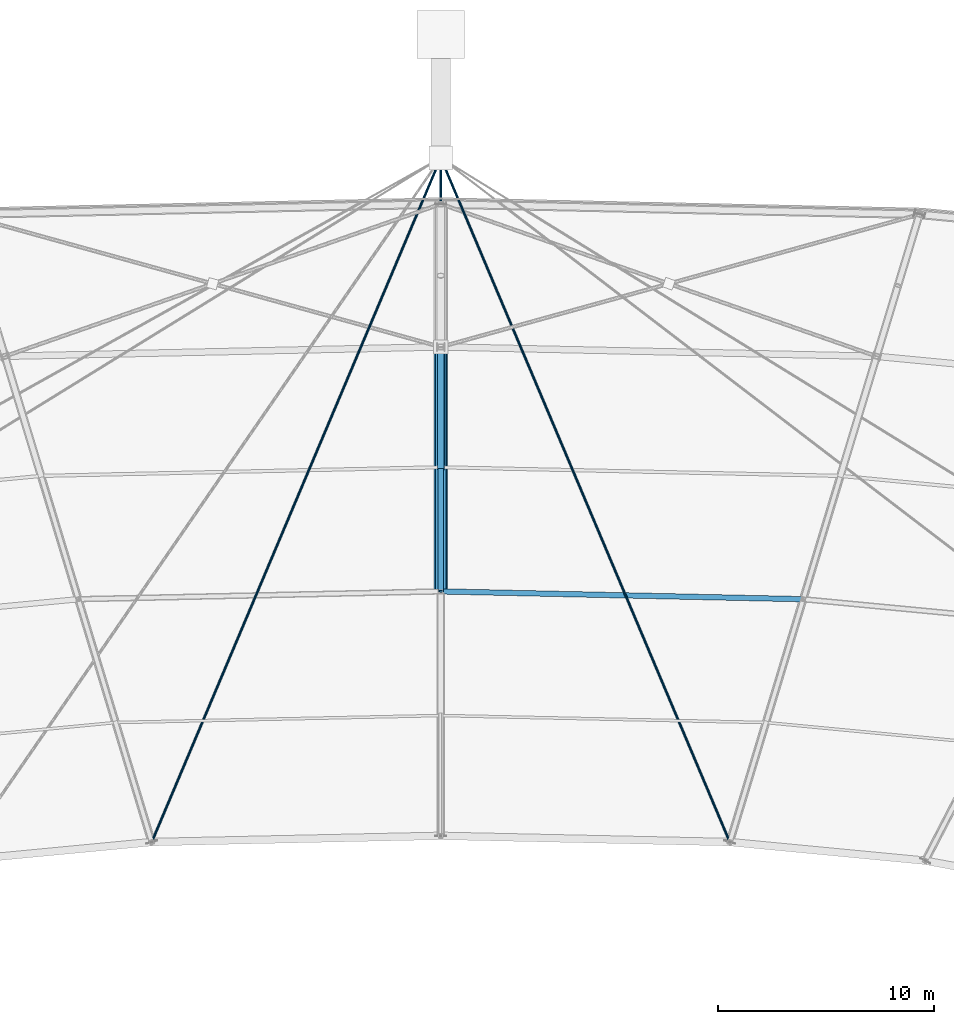
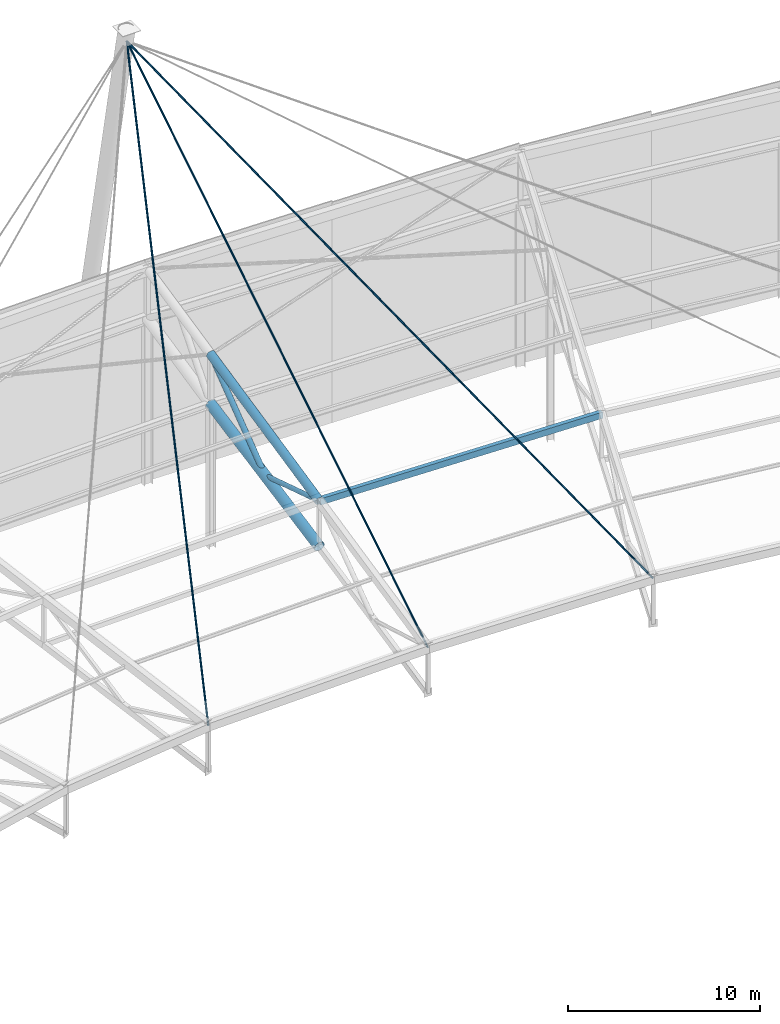
# One storey, part 95 of 143: 5 members, 3 beams.
"""IFC4 building model written with IfcOpenShell, lengths in metres."""

from ifc_helpers import new_model, si_unit, direction, frame, origin, origin_2d, place, context, subcontext, project, spatial, hollow_rectangle, circle, hollow_circle, extrude, material, material_profile, profile_set, type_object, element, save


model = new_model("IFC4")

# Units and contexts
model_context = context("Model", 3, precision=1e-05, world=origin(), true_north=direction((0.0, 1.0)))
body_context = subcontext(model_context, "Body", "Model", "MODEL_VIEW")
ifc_project = project(units=[si_unit("LENGTHUNIT", "METRE"), si_unit("AREAUNIT", "SQUARE_METRE"), si_unit("VOLUMEUNIT", "CUBIC_METRE"), si_unit("PLANEANGLEUNIT", "RADIAN"), si_unit("MASSUNIT", "GRAM", prefix="KILO")], contexts=[model_context])

# Site, building, storey
site_placement = place(None, origin())
site = spatial("IfcSite", under=ifc_project, at=site_placement, CompositionType="ELEMENT")
building_placement = place(site_placement, origin())
building = spatial("IfcBuilding", under=site, at=building_placement, Name="Mphavela Belvedere Stadium", CompositionType="ELEMENT")
storey_placement = place(building_placement, frame((0.0, 0.0, 28.800048828125)))
storey = spatial("IfcBuildingStorey", under=building, at=storey_placement, Name="RF", CompositionType="ELEMENT", Elevation=28.800048828125)

# Beams
ifc_material_1 = material(Name="Steel S355", Category="steel")
ifc_material_profile_1 = material_profile(ifc_material_1, hollow_rectangle(XDim=0.25, YDim=0.39990234375, WallThickness=0.01611328125, at=origin_2d()), Name="RHS 400x250x16")
ifc_profile_set_1 = profile_set([ifc_material_profile_1], Name="Steel S355")
beam_type_1 = type_object("IfcBeamType", Name="BM-RING-MID", PredefinedType="BEAM", material=ifc_profile_set_1)
beam_1_placement = place(storey_placement, frame((131.742431640625, 142.413330078125, 9.63427734375), z_axis=(-0.999741146043, 0.021517679857, 0.007391235561), x_axis=(-0.02151826764, -0.999768455272, 0.0)))
element("IfcBeam", 1, at=beam_1_placement, inside=storey, type_object=beam_type_1, Name="Intermediate roof ring beam RB-MID-12", PredefinedType="BEAM", context=body_context, shape_type="SweptSolid", body=[
    extrude(hollow_rectangle(XDim=0.25, YDim=0.39990234375, WallThickness=0.01611328125, at=origin_2d()), origin(), (0.0, 0.0, 1.0), 16.746826171875),
])
ifc_material_2 = material(Name="Steel S355", Category="steel")
ifc_material_profile_2 = material_profile(ifc_material_2, hollow_circle(Radius=0.304931640625, WallThickness=0.02490234375, at=origin_2d()), Name="CHS 610x25")
ifc_profile_set_2 = profile_set([ifc_material_profile_2], Name="Steel S355")
beam_type_2 = type_object("IfcBeamType", Name="BM-TRUSS-BC1", PredefinedType="BEAM", material=ifc_profile_set_2)
beam_2_placement = place(storey_placement, frame((115.0, 154.0673828125, 9.071044921875), z_axis=(0.0, -0.98133934547, -0.192283876161), x_axis=(1.0, 0.0, 0.0)))
element("IfcBeam", 2, at=beam_2_placement, inside=storey, type_object=beam_type_2, Name="Radial roof truss RT-13 bottom chord 2", PredefinedType="BEAM", context=body_context, shape_type="SweptSolid", body=[
    extrude(hollow_circle(Radius=0.304931640625, WallThickness=0.02490234375, at=origin_2d()), origin(), (0.0, 0.0, 1.0), 11.508544921875),
])
ifc_material_3 = material(Name="Steel S355", Category="steel")
ifc_material_profile_3 = material_profile(ifc_material_3, hollow_circle(Radius=0.25390625, WallThickness=0.02490234375, at=origin_2d()), Name="CHS 508x25")
ifc_profile_set_3 = profile_set([ifc_material_profile_3], Name="Steel S355")
beam_type_3 = type_object("IfcBeamType", Name="BM-TRUSS-TC1", PredefinedType="BEAM", material=ifc_profile_set_3)
beam_3_placement = place(storey_placement, frame((115.0, 154.0673828125, 12.220947265625), z_axis=(0.0, -0.977037190739, -0.213068833744), x_axis=(1.0, 0.0, 0.0)))
element("IfcBeam", 3, at=beam_3_placement, inside=storey, type_object=beam_type_3, Name="Radial roof truss RT-13 top chord 2", PredefinedType="BEAM", context=body_context, shape_type="SweptSolid", body=[
    extrude(hollow_circle(Radius=0.25390625, WallThickness=0.02490234375, at=origin_2d()), origin(), (0.0, 0.0, 1.0), 11.55908203125),
])

# Members
ifc_material_4 = material(Name="Steel S355", Category="steel")
ifc_material_profile_4 = material_profile(ifc_material_4, circle(Radius=0.0576171875, at=origin_2d()), Name="CABLE D115")
ifc_profile_set_4 = profile_set([ifc_material_profile_4], Name="Steel S355")
member_type_1 = type_object("IfcMemberType", Name="MEM-CABLE-115", PredefinedType="USERDEFINED", material=ifc_profile_set_4)
member_1_placement = place(storey_placement, frame((115.0, 162.800048828125, 26.800048828125), z_axis=(0.337883807292, -0.799841420179, -0.496072812534), x_axis=(0.921178154649, 0.389141115019, 0.0)))
element("IfcMember", 4, at=member_1_placement, inside=storey, type_object=member_type_1, Name="North mast fan stay cable MSC-03", ObjectType="STAY CABLE", PredefinedType="USERDEFINED", context=body_context, shape_type="SweptSolid", body=[
    extrude(circle(Radius=0.0576171875, at=origin_2d()), origin(), (0.0, 0.0, 1.0), 39.517333984375),
])
member_2_placement = place(storey_placement, frame((115.0, 162.800048828125, 26.800048828125), z_axis=(0.0, -0.848851812025, -0.528630874261), x_axis=(1.0, 0.0, 0.0)))
element("IfcMember", 5, at=member_2_placement, inside=storey, type_object=member_type_1, Name="North mast fan stay cable MSC-04", ObjectType="STAY CABLE", PredefinedType="USERDEFINED", context=body_context, shape_type="SweptSolid", body=[
    extrude(circle(Radius=0.0576171875, at=origin_2d()), origin(), (0.0, 0.0, 1.0), 36.89697265625),
])
member_3_placement = place(storey_placement, frame((115.0, 162.800048828125, 26.800048828125), z_axis=(-0.337883807292, -0.799841420179, -0.496072812534), x_axis=(0.921178154649, -0.389141115019, 0.0)))
element("IfcMember", 6, at=member_3_placement, inside=storey, type_object=member_type_1, Name="North mast fan stay cable MSC-05", ObjectType="STAY CABLE", PredefinedType="USERDEFINED", context=body_context, shape_type="SweptSolid", body=[
    extrude(circle(Radius=0.0576171875, at=origin_2d()), origin(), (0.0, 0.0, 1.0), 39.517333984375),
])
ifc_material_5 = material(Name="Steel S355", Category="steel")
ifc_material_profile_5 = material_profile(ifc_material_5, hollow_circle(Radius=0.136474609375, WallThickness=0.012451171875, at=origin_2d()), Name="CHS 273x12.5")
ifc_profile_set_5 = profile_set([ifc_material_profile_5], Name="Steel S355")
member_type_2 = type_object("IfcMemberType", Name="MEM-DIAG-273", PredefinedType="BRACE", material=ifc_profile_set_5)
member_4_placement = place(storey_placement, frame((115.0, 148.420654296875, 7.964599609375), z_axis=(0.0, -0.953086911655, 0.302696777043), x_axis=(1.0, 0.0, 0.0)))
element("IfcMember", 7, at=member_4_placement, inside=storey, type_object=member_type_2, Name="Radial roof truss RT-13 web diagonal D4", PredefinedType="BRACE", context=body_context, shape_type="SweptSolid", body=[
    extrude(hollow_circle(Radius=0.136474609375, WallThickness=0.012451171875, at=origin_2d()), origin(), (0.0, 0.0, 1.0), 5.925048828125),
])
ifc_material_6 = material(Name="Steel S355", Category="steel")
ifc_material_profile_6 = material_profile(ifc_material_6, hollow_circle(Radius=0.161865234375, WallThickness=0.01611328125, at=origin_2d()), Name="CHS 323.9x16")
ifc_profile_set_6 = profile_set([ifc_material_profile_6], Name="Steel S355")
member_type_3 = type_object("IfcMemberType", Name="MEM-DIAG-324", PredefinedType="BRACE", material=ifc_profile_set_6)
member_5_placement = place(storey_placement, frame((115.0, 154.0673828125, 12.220947265625), z_axis=(0.0, -0.798551728269, -0.601926189228), x_axis=(1.0, 0.0, 0.0)))
element("IfcMember", 8, at=member_5_placement, inside=storey, type_object=member_type_3, Name="Radial roof truss RT-13 web diagonal D3", PredefinedType="BRACE", context=body_context, shape_type="SweptSolid", body=[
    extrude(hollow_circle(Radius=0.161865234375, WallThickness=0.01611328125, at=origin_2d()), origin(), (0.0, 0.0, 1.0), 7.0712890625),
])

save(model, "model.ifc")
